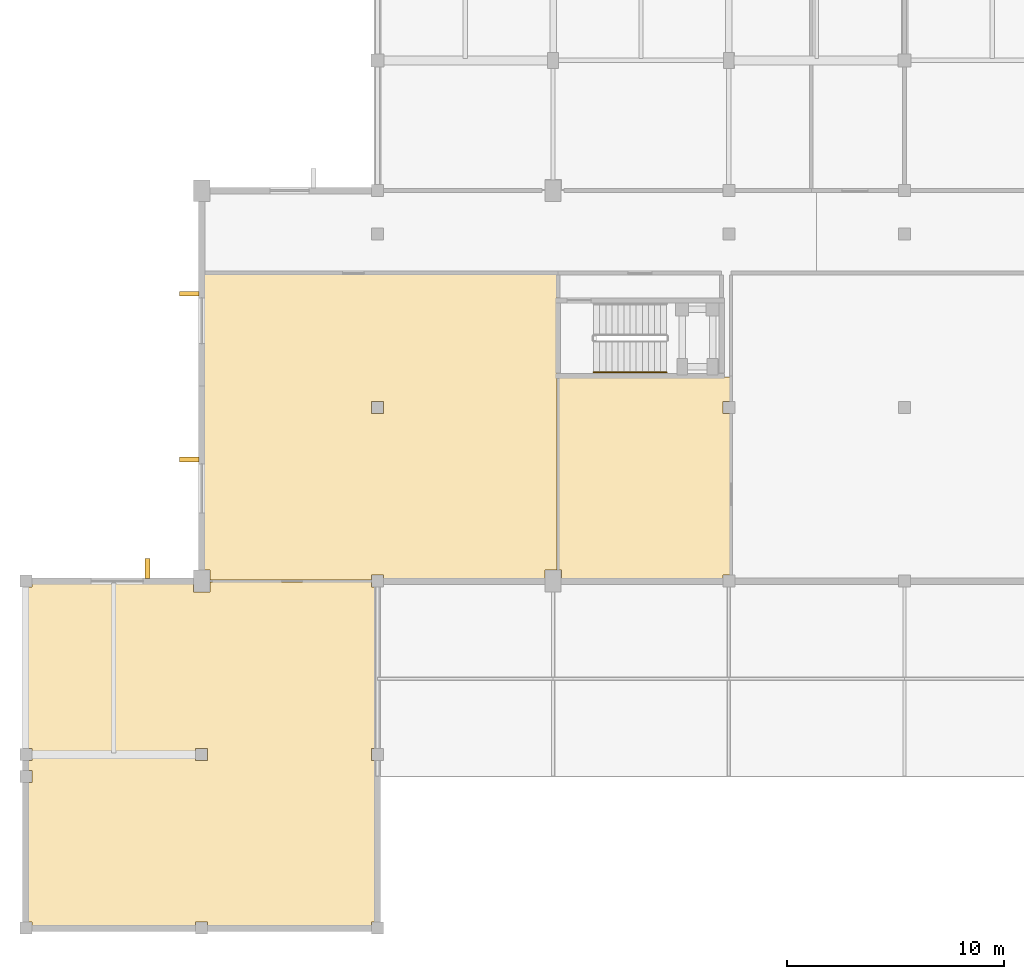
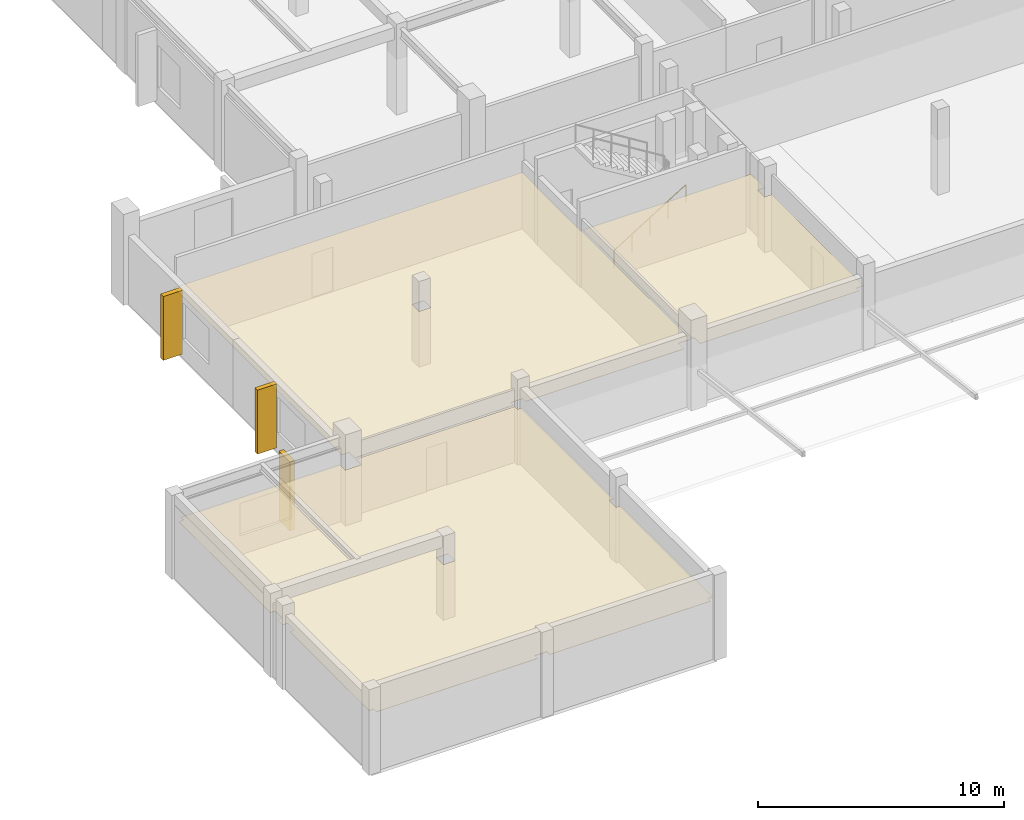
# One storey, part 58 of 67: 3 coverings, 3 shading devices, 1 railing.
"""IFC4 building model written with IfcOpenShell, lengths in metres."""

from ifc_helpers import new_model, si_unit, direction, frame, origin, origin_2d, place, context, subcontext, project, spatial, polyline, rectangle, circle, outline, extrude, material, layer, layer_set, material_profile, profile_set, type_object, element, save


model = new_model("IFC4")

# Units and contexts
model_context = context("Model", 3, precision=1e-05, world=origin(), true_north=direction((0.0, 1.0)))
body_context = subcontext(model_context, "Body", "Model", "MODEL_VIEW")
ifc_project = project(units=[si_unit("LENGTHUNIT", "METRE"), si_unit("AREAUNIT", "SQUARE_METRE"), si_unit("VOLUMEUNIT", "CUBIC_METRE"), si_unit("PLANEANGLEUNIT", "RADIAN"), si_unit("MASSUNIT", "GRAM", prefix="KILO")], contexts=[model_context])

# Site, building, storey
site_placement = place(None, origin())
site = spatial("IfcSite", under=ifc_project, at=site_placement, CompositionType="ELEMENT")
building_placement = place(site_placement, origin())
building = spatial("IfcBuilding", under=site, at=building_placement, Name="Tarnveldt Square Police Headquarters", CompositionType="ELEMENT")
storey_placement = place(building_placement, frame((0.0, 0.0, 10.199951171875)))
storey = spatial("IfcBuildingStorey", under=building, at=storey_placement, Name="L02", CompositionType="ELEMENT", Elevation=10.199951171875)

# Coverings
ifc_material_1 = material(Name="Mineral-fibre acoustic ceiling tile", Category="gypsum")
ifc_layer = layer(ifc_material_1, 0.02001953125)
ifc_layer_set = layer_set([ifc_layer], Name="Mineral-fibre acoustic ceiling tile")
covering_type = type_object("IfcCoveringType", Name="COV-CEIL-20", PredefinedType="CEILING", material=ifc_layer_set)
covering_1_placement = place(storey_placement, frame((0.0, 0.0, 2.75)))
element("IfcCovering", 1, at=covering_1_placement, inside=storey, type_object=covering_type, Name="Warrant Processing and Court Liaison Unit Acoustic Ceiling", PredefinedType="CEILING", context=body_context, shape_type="SweptSolid", body=[
    extrude(outline(polyline([(8.14990234375, 30.14990234375), (24.47998046875, 30.14990234375), (24.47998046875, 16.501953125), (23.923095703125, 16.501953125), (23.923095703125, 16.050048828125), (16.47705078125, 16.050048828125), (16.47705078125, 16.277099609375), (15.923095703125, 16.277099609375), (15.923095703125, 16.050048828125), (8.47705078125, 16.050048828125), (8.47705078125, 16.501953125), (8.14990234375, 16.501953125), (8.14990234375, 30.14990234375)]), holes=[polyline([(15.923095703125, 24.277099609375), (15.923095703125, 23.722900390625), (16.47705078125, 23.722900390625), (16.47705078125, 24.277099609375), (15.923095703125, 24.277099609375)])]), origin(), (0.0, 0.0, 1.0), 0.02001953125),
])
covering_2_placement = place(storey_placement, frame((0.0, 0.0, 2.75)))
element("IfcCovering", 2, at=covering_2_placement, inside=storey, type_object=covering_type, Name="Evidence Disclosure Digitization Office Acoustic Ceiling", PredefinedType="CEILING", context=body_context, shape_type="SweptSolid", body=[
    extrude(outline(polyline([(32.449951171875, 16.277099609375), (32.123046875, 16.277099609375), (32.123046875, 16.050048828125), (24.677001953125, 16.050048828125), (24.677001953125, 16.501953125), (24.580078125, 16.501953125), (24.580078125, 25.409912109375), (32.449951171875, 25.409912109375), (32.449951171875, 24.277099609375), (32.123046875, 24.277099609375), (32.123046875, 23.722900390625), (32.449951171875, 23.722900390625), (32.449951171875, 16.277099609375)])), origin(), (0.0, 0.0, 1.0), 0.02001953125),
])
covering_3_placement = place(storey_placement, frame((0.0, 0.0, 2.75)))
element("IfcCovering", 3, at=covering_3_placement, inside=storey, type_object=covering_type, Name="Digital Case Dossier Transcription Room Acoustic Ceiling", PredefinedType="CEILING", context=body_context, shape_type="SweptSolid", body=[
    extrude(outline(polyline([(16.14990234375, 0.277099609375), (15.923095703125, 0.277099609375), (15.923095703125, 0.050048828125), (8.376953125, 0.050048828125), (8.376953125, 0.277099609375), (7.822998046875, 0.277099609375), (7.822998046875, 0.050048828125), (0.277099609375, 0.050048828125), (0.277099609375, 0.277099609375), (0.050048828125, 0.277099609375), (0.050048828125, 6.722900390625), (0.277099609375, 6.722900390625), (0.277099609375, 7.277099609375), (0.050048828125, 7.277099609375), (0.050048828125, 7.722900390625), (0.277099609375, 7.722900390625), (0.277099609375, 8.277099609375), (0.050048828125, 8.277099609375), (0.050048828125, 15.722900390625), (0.277099609375, 15.722900390625), (0.277099609375, 15.949951171875), (7.722900390625, 15.949951171875), (7.722900390625, 15.498046875), (8.47705078125, 15.498046875), (8.47705078125, 15.949951171875), (15.923095703125, 15.949951171875), (15.923095703125, 15.722900390625), (16.14990234375, 15.722900390625), (16.14990234375, 8.277099609375), (15.923095703125, 8.277099609375), (15.923095703125, 7.722900390625), (16.14990234375, 7.722900390625), (16.14990234375, 0.277099609375)]), holes=[polyline([(7.822998046875, 8.277099609375), (7.822998046875, 7.722900390625), (8.376953125, 7.722900390625), (8.376953125, 8.277099609375), (7.822998046875, 8.277099609375)])]), origin(), (0.0, 0.0, 1.0), 0.02001953125),
])

# Railing
ifc_material_2 = material(Name="Steel 350W", Category="steel")
railing_type = type_object("IfcRailingType", Name="RL-HR-900", PredefinedType="HANDRAIL", material=ifc_material_2)
railing_placement = place(storey_placement, frame((26.169921875, 25.6298828125, 0.173095703125)))
element("IfcRailing", 4, at=railing_placement, inside=storey, type_object=railing_type, Name="L02 ST6 stair handrail 1", PredefinedType="HANDRAIL", context=body_context, shape_type="SweptSolid", body=[
    extrude(circle(Radius=0.02392578125, at=origin_2d()), frame((0.0, 0.0, 0.8759765625), z_axis=(0.850623216509, 0.0, 0.525775754039), x_axis=(0.0, 1.0, 0.0)), (0.0, 0.0, 1.0), 3.9501953125),
    extrude(circle(Radius=0.02099609375, at=origin_2d()), origin(), (0.0, 0.0, 1.0), 0.851806640625),
    extrude(circle(Radius=0.02099609375, at=origin_2d()), frame((0.840087890625, 0.0, 0.519287109375)), (0.0, 0.0, 1.0), 0.851806640625),
    extrude(circle(Radius=0.02099609375, at=origin_2d()), frame((1.68017578125, 0.0, 1.03857421875)), (0.0, 0.0, 1.0), 0.851806640625),
    extrude(circle(Radius=0.02099609375, at=origin_2d()), frame((2.52001953125, 0.0, 1.5576171875)), (0.0, 0.0, 1.0), 0.851806640625),
    extrude(circle(Radius=0.02099609375, at=origin_2d()), frame((3.360107421875, 0.0, 2.076904296875)), (0.0, 0.0, 1.0), 0.851806640625),
])

# Shading devices
ifc_material_3 = material(Name="Precast concrete 35 MPa", Category="concrete")
ifc_material_profile = material_profile(ifc_material_3, rectangle(XDim=0.219970703125, YDim=0.89990234375, at=origin_2d()), Name="PC-FIN220x900")
ifc_profile_set = profile_set([ifc_material_profile], Name="Precast concrete 35 MPa")
shading_device_type = type_object("IfcShadingDeviceType", Name="SHD-FIN-900", PredefinedType="USERDEFINED", material=ifc_profile_set)
for number, where, z_axis, x_axis, name in (
    (5, (7.52001953125, 29.25, 0.150146484375), (0.0, 0.0, 1.0), (0.0, -1.0, 0.0), "L02 Precast Deep-Reveal Brutalist Fin 029"),
    (6, (7.52001953125, 21.60009765625, 0.150146484375), (0.0, 0.0, 1.0), (0.0, -1.0, 0.0), "L02 Precast Deep-Reveal Brutalist Fin 030"),
):
    element("IfcShadingDevice", number, at=place(storey_placement, frame(where, z_axis=z_axis, x_axis=x_axis)), inside=storey, type_object=shading_device_type, Name=name, ObjectType="SOLAR SHADING FIN", PredefinedType="USERDEFINED", context=body_context, shape_type="SweptSolid", body=[
        extrude(rectangle(XDim=0.219970703125, YDim=0.89990234375, at=origin_2d()), origin(), (0.0, 0.0, 1.0), 3.166015625),
    ])
shading_device_placement = place(storey_placement, frame((5.60009765625, 16.580078125, 0.150146484375), z_axis=(0.0, 0.0, 1.0), x_axis=(-1.0, 0.0, 0.0)))
element("IfcShadingDevice", 7, at=shading_device_placement, inside=storey, type_object=shading_device_type, Name="L02 Precast Deep-Reveal Brutalist Fin 031", ObjectType="SOLAR SHADING FIN", PredefinedType="USERDEFINED", context=body_context, shape_type="SweptSolid", body=[
    extrude(rectangle(XDim=0.219970703125, YDim=0.89990234375, at=origin_2d()), origin(), (0.0, 0.0, 1.0), 3.4189453125),
])

save(model, "model.ifc")
